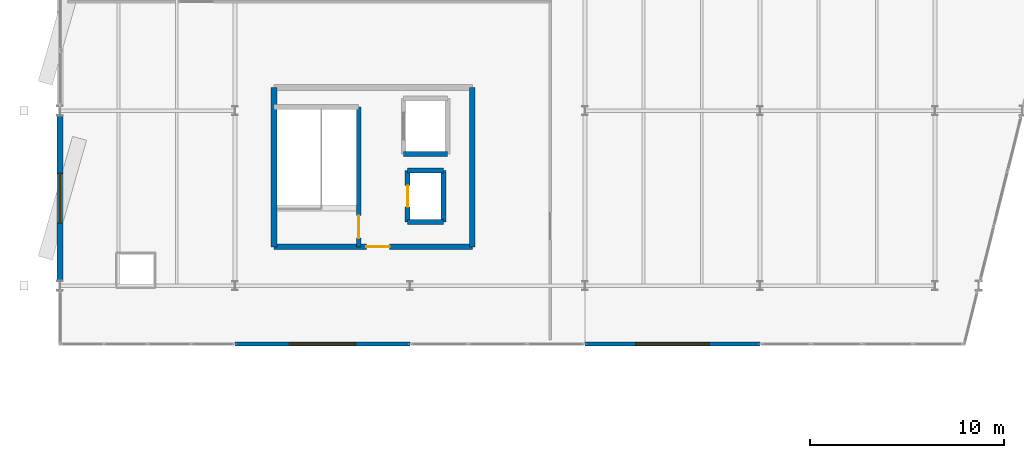
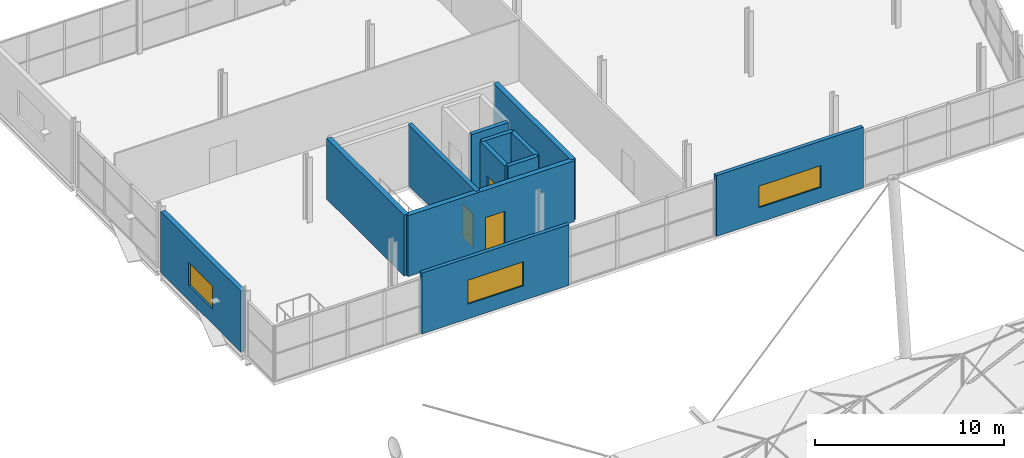
# One storey, part 111 of 132: 12 walls, 3 doors, 3 windows, 6 openings.
"""IFC4 building model written with IfcOpenShell, lengths in metres."""

from ifc_helpers import new_model, si_unit, direction, frame, frame_2d, origin, place, context, subcontext, project, spatial, rectangle, extrude, material, layer, layer_set, type_object, element, fill, save


model = new_model("IFC4")

# Units and contexts
model_context = context("Model", 3, precision=1e-05, world=origin(), true_north=direction((0.0, 1.0)))
body_context = subcontext(model_context, "Body", "Model", "MODEL_VIEW")
ifc_project = project(units=[si_unit("LENGTHUNIT", "METRE"), si_unit("AREAUNIT", "SQUARE_METRE"), si_unit("VOLUMEUNIT", "CUBIC_METRE"), si_unit("PLANEANGLEUNIT", "RADIAN"), si_unit("MASSUNIT", "GRAM", prefix="KILO")], contexts=[model_context])

# Site, building, storey
site_placement = place(None, origin())
site = spatial("IfcSite", under=ifc_project, at=site_placement, CompositionType="ELEMENT")
building_placement = place(site_placement, origin())
building = spatial("IfcBuilding", under=site, at=building_placement, Name="Deido Ridge Mobility Hub", CompositionType="ELEMENT")
storey_placement = place(building_placement, frame((0.0, 0.0, 8.39990234375)))
storey = spatial("IfcBuildingStorey", under=building, at=storey_placement, Name="L02", CompositionType="ELEMENT", Elevation=8.39990234375)

# Wall, opening, window
ifc_material_1 = material(Name="Powder-coated aluminium cladding EN AW-3003", Category="aluminium")
ifc_layer_1 = layer(ifc_material_1, 0.22509765625, Name="Powder-coated aluminium cladding EN AW-3003")
ifc_layer_set_1 = layer_set([ifc_layer_1], Name="Powder-coated aluminium cladding EN AW-3003")
wall_type_1 = type_object("IfcWallType", Name="WL-EXT-ALU-225", PredefinedType="STANDARD", material=ifc_layer_set_1)
wall_1_placement = place(storey_placement, frame((9.0, 51.0, 0.0), z_axis=(0.0, 0.0, 1.0), x_axis=(1.0, 0.0, 0.0)))
wall_1 = element("IfcWall", 1, at=wall_1_placement, inside=storey, type_object=wall_type_1, Name="Exterior wall EW6", PredefinedType="STANDARD", context=body_context, shape_type="SweptSolid", body=[
    extrude(rectangle(XDim=9.0, YDim=0.22509765625, at=frame_2d((4.5, 0.0))), origin(), (0.0, 0.0, 1.0), 3.93505859375),
])
opening_1_placement = place(wall_1_placement, frame((2.800048828125, 0.0, 0.949951171875)))
opening_1 = element("IfcOpeningElement", 2, at=opening_1_placement, cuts=wall_1, Name="Opening W17", PredefinedType="OPENING", context=body_context, shape_type="SweptSolid", body=[
    extrude(rectangle(XDim=3.39990234375, YDim=1.550048828125, at=frame_2d((1.699951171875, 0.77490234375))), frame((0.0, 0.12255859375, 0.0), z_axis=(0.0, -1.0, 0.0), x_axis=(1.0, 0.0, 0.0)), (0.0, 0.0, 1.0), 0.2451171875),
])
ifc_material_2 = material(Name="Laminated solar-control low-E glass", Category="glass")
window_type_1 = type_object("IfcWindowType", Name="WN-ALU-3400X1550", PartitioningType="DOUBLE_PANEL_VERTICAL", PredefinedType="WINDOW", material=ifc_material_2)
window_1_placement = place(opening_1_placement, origin())
window_1 = element("IfcWindow", 3, at=window_1_placement, inside=storey, type_object=window_type_1, Name="Exterior window W17", OverallHeight=1.550048828125, OverallWidth=3.39990234375, PartitioningType="SINGLE_PANEL", PredefinedType="WINDOW", context=body_context, shape_type="SweptSolid", body=[
    extrude(rectangle(XDim=3.39990234375, YDim=1.550048828125, at=frame_2d((1.699951171875, 0.77490234375))), frame((0.0, 0.030029296875, 0.0), z_axis=(0.0, -1.0, 0.0), x_axis=(1.0, 0.0, 0.0)), (0.0, 0.0, 1.0), 0.06005859375),
])
fill(opening_1, window_1)

wall_2_placement = place(storey_placement, frame((27.0, 51.0, 0.0), z_axis=(0.0, 0.0, 1.0), x_axis=(1.0, 0.0, 0.0)))
wall_2 = element("IfcWall", 4, at=wall_2_placement, inside=storey, type_object=wall_type_1, Name="Exterior wall EW6", PredefinedType="STANDARD", context=body_context, shape_type="SweptSolid", body=[
    extrude(rectangle(XDim=9.0, YDim=0.22509765625, at=frame_2d((4.5, 0.0))), origin(), (0.0, 0.0, 1.0), 3.93505859375),
])
opening_2_placement = place(wall_2_placement, frame((2.60009765625, 0.0, 0.949951171875)))
opening_2 = element("IfcOpeningElement", 5, at=opening_2_placement, cuts=wall_2, Name="Opening W19", PredefinedType="OPENING", context=body_context, shape_type="SweptSolid", body=[
    extrude(rectangle(XDim=3.800048828125, YDim=1.39990234375, at=frame_2d((1.89990234375, 0.699951171875))), frame((0.0, 0.12255859375, 0.0), z_axis=(0.0, -1.0, 0.0), x_axis=(1.0, 0.0, 0.0)), (0.0, 0.0, 1.0), 0.2451171875),
])
window_type_2 = type_object("IfcWindowType", Name="WN-ALU-3800X1400", PartitioningType="DOUBLE_PANEL_VERTICAL", PredefinedType="WINDOW", material=ifc_material_2)
window_2_placement = place(opening_2_placement, origin())
window_2 = element("IfcWindow", 6, at=window_2_placement, inside=storey, type_object=window_type_2, Name="Exterior window W19", OverallHeight=1.39990234375, OverallWidth=3.800048828125, PartitioningType="SINGLE_PANEL", PredefinedType="WINDOW", context=body_context, shape_type="SweptSolid", body=[
    extrude(rectangle(XDim=3.800048828125, YDim=1.39990234375, at=frame_2d((1.89990234375, 0.699951171875))), frame((0.0, 0.030029296875, 0.0), z_axis=(0.0, -1.0, 0.0), x_axis=(1.0, 0.0, 0.0)), (0.0, 0.0, 1.0), 0.06005859375),
])
fill(opening_2, window_2)

ifc_material_3 = material(Name="Fired clay brick masonry", Category="masonry")
ifc_layer_2 = layer(ifc_material_3, 0.294921875, Name="Fired clay brick masonry")
ifc_layer_set_2 = layer_set([ifc_layer_2], Name="Fired clay brick masonry")
wall_type_2 = type_object("IfcWallType", Name="WL-EXT-BRK-295", PredefinedType="STANDARD", material=ifc_layer_set_2)
wall_3_placement = place(storey_placement, frame((0.0, 54.25, 0.0), z_axis=(0.0, 0.0, 1.0), x_axis=(0.0, 1.0, 0.0)))
wall_3 = element("IfcWall", 7, at=wall_3_placement, inside=storey, type_object=wall_type_2, Name="Exterior wall EW2", PredefinedType="STANDARD", context=body_context, shape_type="SweptSolid", body=[
    extrude(rectangle(XDim=8.5, YDim=0.294921875, at=frame_2d((4.25, 0.0))), origin(), (0.0, 0.0, 1.0), 3.93505859375),
])
opening_3_placement = place(wall_3_placement, frame((2.97509765625, 0.0, 0.949951171875)))
opening_3 = element("IfcOpeningElement", 8, at=opening_3_placement, cuts=wall_3, Name="Opening W12", PredefinedType="OPENING", context=body_context, shape_type="SweptSolid", body=[
    extrude(rectangle(XDim=2.550048828125, YDim=1.5, at=frame_2d((1.27490234375, 0.75))), frame((0.0, 0.157470703125, 0.0), z_axis=(0.0, -1.0, 0.0), x_axis=(1.0, 0.0, 0.0)), (0.0, 0.0, 1.0), 0.31494140625),
])
window_type_3 = type_object("IfcWindowType", Name="WN-ALU-2550X1500", PartitioningType="DOUBLE_PANEL_VERTICAL", PredefinedType="WINDOW", material=ifc_material_2)
window_3_placement = place(opening_3_placement, origin())
window_3 = element("IfcWindow", 9, at=window_3_placement, inside=storey, type_object=window_type_3, Name="Exterior window W12", OverallHeight=1.5, OverallWidth=2.550048828125, PartitioningType="SINGLE_PANEL", PredefinedType="WINDOW", context=body_context, shape_type="SweptSolid", body=[
    extrude(rectangle(XDim=2.550048828125, YDim=1.5, at=frame_2d((1.27490234375, 0.75))), frame((0.0, 0.030029296875, 0.0), z_axis=(0.0, -1.0, 0.0), x_axis=(1.0, 0.0, 0.0)), (0.0, 0.0, 1.0), 0.06005859375),
])
fill(opening_3, window_3)

# Wall, opening, door
ifc_material_4 = material(Name="Concrete C40/50", Category="concrete")
ifc_layer_3 = layer(ifc_material_4, 0.25, Name="Concrete C40/50")
ifc_layer_set_3 = layer_set([ifc_layer_3], Name="Concrete C40/50")
wall_type_3 = type_object("IfcWallType", Name="WL-SHR-RC-250", PredefinedType="SHEAR", material=ifc_layer_set_3)
wall_4_placement = place(storey_placement, frame((15.360107421875, 56.0, 0.0), z_axis=(0.0, 0.0, 1.0), x_axis=(0.0, 1.0, 0.0)))
wall_4 = element("IfcWall", 10, at=wall_4_placement, inside=storey, type_object=wall_type_3, Name="C6 stair shaft east wall", PredefinedType="SHEAR", context=body_context, shape_type="SweptSolid", body=[
    extrude(rectangle(XDim=7.199951171875, YDim=0.25, at=frame_2d((3.60009765625, 0.0))), origin(), (0.0, 0.0, 1.0), 3.93505859375),
])
opening_4_placement = place(wall_4_placement, frame((0.449951171875, 0.0, 0.0)))
opening_4 = element("IfcOpeningElement", 11, at=opening_4_placement, cuts=wall_4, Name="Opening FD-C6-L02", PredefinedType="OPENING", context=body_context, shape_type="SweptSolid", body=[
    extrude(rectangle(XDim=1.14990234375, YDim=2.14990234375, at=frame_2d((0.574951171875, 1.074951171875))), frame((0.0, 0.135009765625, 0.0), z_axis=(0.0, -1.0, 0.0), x_axis=(1.0, 0.0, 0.0)), (0.0, 0.0, 1.0), 0.27001953125),
])
ifc_material_5 = material(Name="Galvanised steel work", Category="steel")
door_type_1 = type_object("IfcDoorType", Name="DR-FD60-1150X2150", OperationType="NOTDEFINED", PredefinedType="DOOR", material=ifc_material_5)
door_1_placement = place(opening_4_placement, origin())
door_1 = element("IfcDoor", 12, at=door_1_placement, inside=storey, type_object=door_type_1, Name="DR-I0130 C6 protected stair door (L02)", OperationType="SINGLE_SWING_LEFT", OverallHeight=2.14990234375, OverallWidth=1.14990234375, PredefinedType="DOOR", context=body_context, shape_type="SweptSolid", body=[
    extrude(rectangle(XDim=1.14990234375, YDim=2.14990234375, at=frame_2d((0.574951171875, 1.074951171875))), frame((0.0, 0.02490234375, 0.0), z_axis=(0.0, -1.0, 0.0), x_axis=(1.0, 0.0, 0.0)), (0.0, 0.0, 1.0), 0.050048828125),
])
fill(opening_4, door_1)

# Walls
for number, where, z_axis, x_axis, name in (
    (13, (17.875, 57.27490234375, 0.0), (0.0, 0.0, 1.0), (1.0, 0.0, 0.0), "Lift PL4 south shaft wall"),
    (14, (17.875, 59.925048828125, 0.0), (0.0, 0.0, 1.0), (1.0, 0.0, 0.0), "Lift PL4 north shaft wall"),
):
    element("IfcWall", number, at=place(storey_placement, frame(where, z_axis=z_axis, x_axis=x_axis)), inside=storey, type_object=wall_type_3, Name=name, PredefinedType="SHEAR", context=body_context, shape_type="SweptSolid", body=[
        extrude(rectangle(XDim=1.85009765625, YDim=0.25, at=frame_2d((0.925048828125, 0.0))), origin(), (0.0, 0.0, 1.0), 3.93505859375),
    ])
wall_5_placement = place(storey_placement, frame((19.72509765625, 57.27490234375, 0.0), z_axis=(0.0, 0.0, 1.0), x_axis=(0.0, 1.0, 0.0)))
element("IfcWall", 15, at=wall_5_placement, inside=storey, type_object=wall_type_3, Name="Lift PL4 rear shaft wall", PredefinedType="SHEAR", context=body_context, shape_type="SweptSolid", body=[
    extrude(rectangle(XDim=2.650146484375, YDim=0.25, at=frame_2d((1.3251953125, 0.0))), origin(), (0.0, 0.0, 1.0), 3.93505859375),
])

# Wall, opening, door
wall_6_placement = place(storey_placement, frame((17.875, 57.27490234375, 0.0), z_axis=(0.0, 0.0, 1.0), x_axis=(0.0, 1.0, 0.0)))
wall_6 = element("IfcWall", 16, at=wall_6_placement, inside=storey, type_object=wall_type_3, Name="Lift PL4 landing wall", PredefinedType="SHEAR", context=body_context, shape_type="SweptSolid", body=[
    extrude(rectangle(XDim=2.650146484375, YDim=0.25, at=frame_2d((1.3251953125, 0.0))), origin(), (0.0, 0.0, 1.0), 3.93505859375),
])
opening_5_placement = place(wall_6_placement, frame((0.77490234375, 0.0, 0.0)))
opening_5 = element("IfcOpeningElement", 17, at=opening_5_placement, cuts=wall_6, Name="Opening LD-PL4", PredefinedType="OPENING", context=body_context, shape_type="SweptSolid", body=[
    extrude(rectangle(XDim=1.10009765625, YDim=2.14990234375, at=frame_2d((0.550048828125, 1.074951171875))), frame((0.0, 0.135009765625, 0.0), z_axis=(0.0, -1.0, 0.0), x_axis=(1.0, 0.0, 0.0)), (0.0, 0.0, 1.0), 0.27001953125),
])
ifc_material_6 = material(Name="Stainless steel 316", Category="steel")
door_type_2 = type_object("IfcDoorType", Name="DR-LND-PAS-1100X2150", OperationType="DOUBLE_DOOR_SLIDING", PredefinedType="USERDEFINED", material=ifc_material_6)
door_2_placement = place(opening_5_placement, origin())
door_2 = element("IfcDoor", 18, at=door_2_placement, inside=storey, type_object=door_type_2, Name="DR-I0132 Lift PL4 sliding landing door (L02)", ObjectType="LANDING DOOR", OperationType="DOUBLE_DOOR_SLIDING", OverallHeight=2.14990234375, OverallWidth=1.10009765625, PredefinedType="USERDEFINED", context=body_context, shape_type="SweptSolid", body=[
    extrude(rectangle(XDim=1.10009765625, YDim=2.14990234375, at=frame_2d((0.550048828125, 1.074951171875))), frame((0.0, 0.02490234375, 0.0), z_axis=(0.0, -1.0, 0.0), x_axis=(1.0, 0.0, 0.0)), (0.0, 0.0, 1.0), 0.050048828125),
])
fill(opening_5, door_2)

# Wall
wall_7_placement = place(storey_placement, frame((17.675048828125, 60.77490234375, 0.0), z_axis=(0.0, 0.0, 1.0), x_axis=(1.0, 0.0, 0.0)))
element("IfcWall", 19, at=wall_7_placement, inside=storey, type_object=wall_type_3, Name="Lift GL2 south shaft wall", PredefinedType="SHEAR", context=body_context, shape_type="SweptSolid", body=[
    extrude(rectangle(XDim=2.25, YDim=0.25, at=frame_2d((1.125, 0.0))), origin(), (0.0, 0.0, 1.0), 3.93505859375),
])

# Wall, opening, door
ifc_layer_4 = layer(ifc_material_4, 0.300048828125, Name="Concrete C40/50")
ifc_layer_set_4 = layer_set([ifc_layer_4], Name="Concrete C40/50")
wall_type_4 = type_object("IfcWallType", Name="WL-SHR-RC-300", PredefinedType="SHEAR", material=ifc_layer_set_4)
wall_8_placement = place(storey_placement, frame((11.0, 56.0, 0.0), z_axis=(0.0, 0.0, 1.0), x_axis=(1.0, 0.0, 0.0)))
wall_8 = element("IfcWall", 20, at=wall_8_placement, inside=storey, type_object=wall_type_4, Name="C6 south shear wall", PredefinedType="SHEAR", context=body_context, shape_type="SweptSolid", body=[
    extrude(rectangle(XDim=10.199951171875, YDim=0.300048828125, at=frame_2d((5.10009765625, 0.0))), origin(), (0.0, 0.0, 1.0), 3.93505859375),
])
opening_6_placement = place(wall_8_placement, frame((4.75, 0.0, 0.0)))
opening_6 = element("IfcOpeningElement", 21, at=opening_6_placement, cuts=wall_8, Name="Opening LD-C6-131", PredefinedType="OPENING", context=body_context, shape_type="SweptSolid", body=[
    extrude(rectangle(XDim=1.199951171875, YDim=2.14990234375, at=frame_2d((0.60009765625, 1.074951171875))), frame((0.0, 0.16015625, 0.0), z_axis=(0.0, -1.0, 0.0), x_axis=(1.0, 0.0, 0.0)), (0.0, 0.0, 1.0), 0.320068359375),
])
door_type_3 = type_object("IfcDoorType", Name="DR-FD60-1200X2150", OperationType="NOTDEFINED", PredefinedType="DOOR", material=ifc_material_5)
door_3_placement = place(opening_6_placement, origin())
door_3 = element("IfcDoor", 22, at=door_3_placement, inside=storey, type_object=door_type_3, Name="DR-I0131 C6 lift lobby door (L02)", OperationType="SINGLE_SWING_RIGHT", OverallHeight=2.14990234375, OverallWidth=1.199951171875, PredefinedType="DOOR", context=body_context, shape_type="SweptSolid", body=[
    extrude(rectangle(XDim=1.199951171875, YDim=2.14990234375, at=frame_2d((0.60009765625, 1.074951171875))), frame((0.0, 0.02490234375, 0.0), z_axis=(0.0, -1.0, 0.0), x_axis=(1.0, 0.0, 0.0)), (0.0, 0.0, 1.0), 0.050048828125),
])
fill(opening_6, door_3)

# Walls
for number, where, z_axis, x_axis, name in (
    (23, (21.199951171875, 56.0, 0.0), (0.0, 0.0, 1.0), (0.0, 1.0, 0.0), "C6 east shear wall"),
    (24, (11.0, 64.199951171875, 0.0), (0.0, 0.0, 1.0), (0.0, -1.0, 0.0), "C6 west shear wall"),
):
    element("IfcWall", number, at=place(storey_placement, frame(where, z_axis=z_axis, x_axis=x_axis)), inside=storey, type_object=wall_type_4, Name=name, PredefinedType="SHEAR", context=body_context, shape_type="SweptSolid", body=[
        extrude(rectangle(XDim=8.199951171875, YDim=0.300048828125, at=frame_2d((4.10009765625, 0.0))), origin(), (0.0, 0.0, 1.0), 3.93505859375),
    ])

save(model, "model.ifc")
